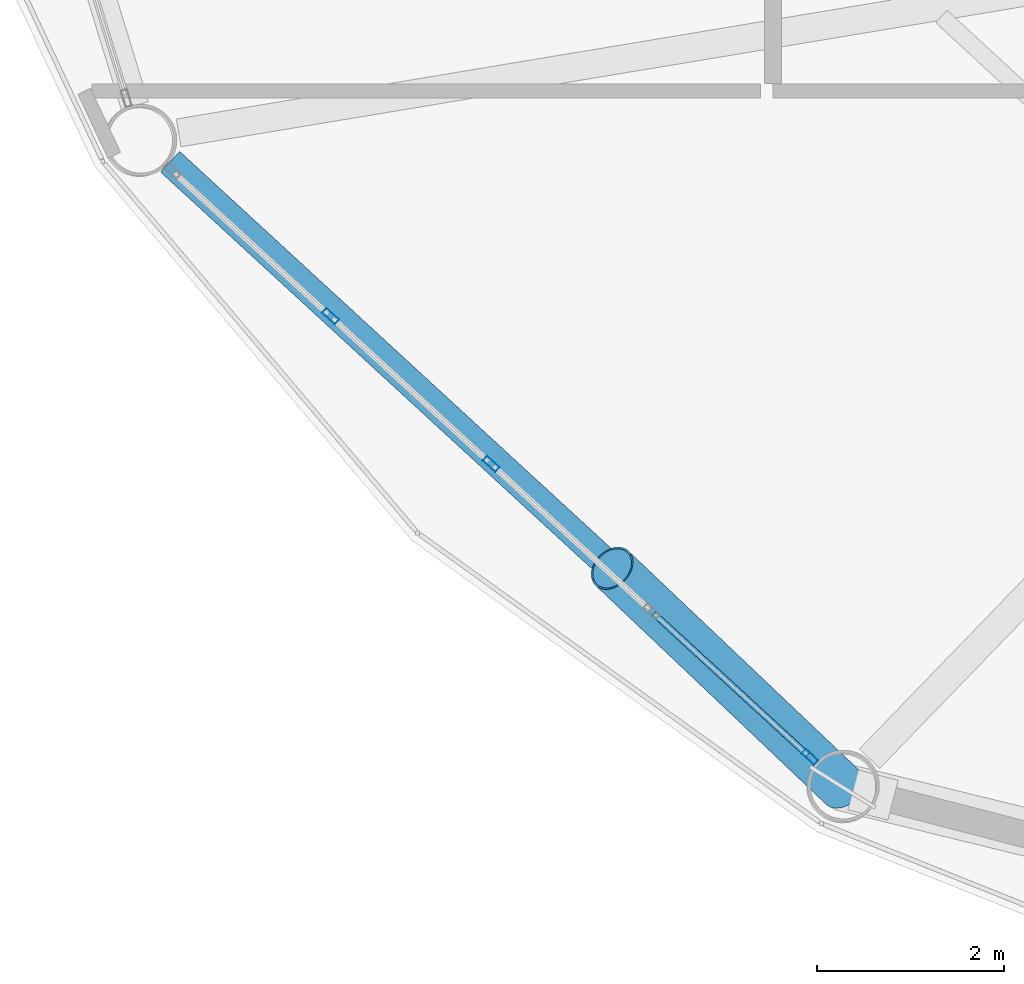
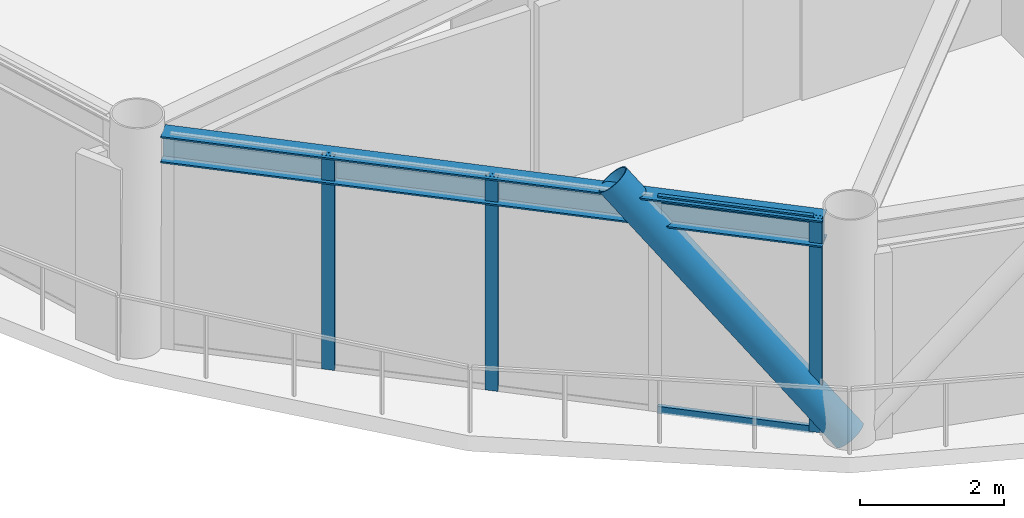
# One storey, part 2 of 25: 6 members, 1 beam, 1 element without a shape of its own.
"""IFC4 building model written with IfcOpenShell, lengths in metres."""

import ifcopenshell
import ifcopenshell.guid

model = None  # the IFC model being written
_history = None  # IfcOwnerHistory: only IFC2X3 demands one
_inside = {}  # id of a spatial element -> (the spatial element, [elements in it])
_under = {}  # id of a project, library or spatial element -> (it, [spatial elements below it])
_declared = {}  # id of a project -> (the project, [libraries it declares])
_typed = {}  # id of a type object -> (the type object, [elements of that type])
_made_of = {}  # id of a material, layer set ... -> (it, [elements and type objects made of it])


def new_model(schema):
    """Start an empty IFC model of exactly this schema.

    Asked for "IFC4X3", IfcOpenShell would pick the latest addendum, in which some entities
    have other attributes; the version numbers below select the first issue.
    IFC2X3 requires an IfcOwnerHistory on every rooted entity: one is made here for all.
    """
    global model, _history
    if schema == "IFC4X3":
        model = ifcopenshell.file(schema_version=(4, 3, 0, 0))
    else:
        model = ifcopenshell.file(schema=schema)
    _inside.clear()
    _under.clear()
    _declared.clear()
    _typed.clear()
    _made_of.clear()
    _history = None
    if model.schema == "IFC2X3":
        org = make("IfcOrganization", Name="unknown")
        user = make(
            "IfcPersonAndOrganization",
            ThePerson=make("IfcPerson", FamilyName="unknown"),
            TheOrganization=org,
        )
        app = make(
            "IfcApplication",
            ApplicationDeveloper=org,
            Version="unknown",
            ApplicationFullName="unknown",
            ApplicationIdentifier="unknown",
        )
        _history = make(
            "IfcOwnerHistory",
            OwningUser=user,
            OwningApplication=app,
            ChangeAction="ADDED",
            CreationDate=0,
        )
    return model


def make(cls, **values):
    """One entity of the class cls with the attributes given. An attribute that is None is left unset."""
    return model.create_entity(
        cls, **{name: value for name, value in values.items() if value is not None}
    )


def rooted(cls, **values):
    """An entity with a GlobalId (a new one), such as an element, a storey or a relation."""
    return make(cls, GlobalId=ifcopenshell.guid.new(), OwnerHistory=_history, **values)


def si_unit(unit_type, name, prefix=None):
    """IfcSIUnit, for example si_unit("LENGTHUNIT", "METRE", prefix="MILLI")."""
    return make("IfcSIUnit", UnitType=unit_type, Prefix=prefix, Name=name)


def assignment(units):
    """IfcUnitAssignment: the units of a project."""
    return None if units is None else make("IfcUnitAssignment", Units=units)


def point(xyz):
    """IfcCartesianPoint."""
    return None if xyz is None else make("IfcCartesianPoint", Coordinates=xyz)


def direction(xyz):
    """IfcDirection."""
    return None if xyz is None else make("IfcDirection", DirectionRatios=xyz)


def frame(location, z_axis=None, x_axis=None):
    """IfcAxis2Placement3D, a coordinate frame: its origin and axes. An axis left out is left unset."""
    return make(
        "IfcAxis2Placement3D",
        Location=point(location),
        Axis=direction(z_axis),
        RefDirection=direction(x_axis),
    )


def frame_2d(location, x_axis=None):
    """IfcAxis2Placement2D, a coordinate frame in the plane: its origin and x axis."""
    return make(
        "IfcAxis2Placement2D", Location=point(location), RefDirection=direction(x_axis)
    )


def origin():
    """The frame at (0, 0, 0) with its axes left unset."""
    return frame((0.0, 0.0, 0.0))


def origin_2d():
    """The frame at (0, 0) in the plane with its x axis left unset."""
    return frame_2d((0.0, 0.0))


def place(relative_to, where):
    """IfcLocalPlacement: puts the frame where relative to a parent placement (None: the world)."""
    return make(
        "IfcLocalPlacement", PlacementRelTo=relative_to, RelativePlacement=where
    )


def context(
    kind, dimensions, precision=None, world=None, true_north=None, identifier=None
):
    """IfcGeometricRepresentationContext, for example the 3D "Model" context."""
    return make(
        "IfcGeometricRepresentationContext",
        ContextIdentifier=identifier,
        ContextType=kind,
        CoordinateSpaceDimension=dimensions,
        Precision=precision,
        WorldCoordinateSystem=world,
        TrueNorth=true_north,
    )


def subcontext(parent, identifier, kind, view, scale=None):
    """IfcGeometricRepresentationSubContext, for example "Body" below "Model"."""
    return make(
        "IfcGeometricRepresentationSubContext",
        ContextIdentifier=identifier,
        ContextType=kind,
        ParentContext=parent,
        TargetScale=scale,
        TargetView=view,
    )


def project(units=None, contexts=None):
    """IfcProject with its units and contexts."""
    return rooted(
        "IfcProject",
        Name="project",
        RepresentationContexts=contexts,
        UnitsInContext=assignment(units),
    )


def spatial(cls, under=None, at=None, **own):
    """A site, building, storey or space (cls), placed at a placement, below another one or the project."""
    s = rooted(cls, ObjectPlacement=at, **own)
    if under is not None:
        _under.setdefault(under.id(), (under, []))[1].append(s)
    return s


def profile(cls, at=None, kind="AREA", **sizes):
    """A parametric profile (cls). Its sizes go by their IFC names, for example OverallWidth=200.0."""
    return make(cls, ProfileType=kind, Position=at, **sizes)


def hollow_rectangle(**sizes):
    """IfcRectangleHollowProfileDef."""
    return profile("IfcRectangleHollowProfileDef", **sizes)


def hollow_circle(**sizes):
    """IfcCircleHollowProfileDef."""
    return profile("IfcCircleHollowProfileDef", **sizes)


def i_section(**sizes):
    """IfcIShapeProfileDef."""
    return profile("IfcIShapeProfileDef", **sizes)


def extrude(swept, where, along, depth):
    """IfcExtrudedAreaSolid: the profile swept, set in the frame where, extruded along a direction by depth."""
    return make(
        "IfcExtrudedAreaSolid",
        SweptArea=swept,
        Position=where,
        ExtrudedDirection=direction(along),
        Depth=depth,
    )


def shape(context_of_items, identifier, shape_type, items):
    """IfcShapeRepresentation: the items that make up one representation, for example the "Body"."""
    return make(
        "IfcShapeRepresentation",
        ContextOfItems=context_of_items,
        RepresentationIdentifier=identifier,
        RepresentationType=shape_type,
        Items=items,
    )


def material(Name=None, Category=None):
    """IfcMaterial."""
    return make("IfcMaterial", Name=Name, Category=Category)


def layer(
    of_material, thickness, ventilated=None, Name=None, Category=None, Priority=None
):
    """IfcMaterialLayer: one layer of a wall or slab, of a material (None: an air gap)."""
    return make(
        "IfcMaterialLayer",
        Material=of_material,
        LayerThickness=thickness,
        IsVentilated=ventilated,
        Name=Name,
        Category=Category,
        Priority=Priority,
    )


def layer_set(layers, Name=None):
    """IfcMaterialLayerSet."""
    return make("IfcMaterialLayerSet", MaterialLayers=layers, LayerSetName=Name)


def material_profile(
    of_material, cross_section, Name=None, Category=None, Priority=None
):
    """IfcMaterialProfile: a cross section and its material."""
    return make(
        "IfcMaterialProfile",
        Name=Name,
        Material=of_material,
        Profile=cross_section,
        Priority=Priority,
        Category=Category,
    )


def profile_set(profiles, Name=None, composite=None):
    """IfcMaterialProfileSet."""
    return make(
        "IfcMaterialProfileSet",
        Name=Name,
        MaterialProfiles=profiles,
        CompositeProfile=composite,
    )


def made_of(thing, what):
    """Note that an element or type object is made of a material, layer set ...; save() writes the relation."""
    if what is not None:
        _made_of.setdefault(what.id(), (what, []))[1].append(thing)
    return thing


def type_object(cls, material=None, **own):
    """A type object (cls), such as IfcWallType, which elements share."""
    return made_of(rooted(cls, **own), material)


def element(
    cls,
    number,
    at=None,
    inside=None,
    cuts=None,
    type_object=None,
    material=None,
    context=None,
    identifier="Body",
    shape_type=None,
    held_by="IfcProductDefinitionShape",
    body=None,
    shapes=None,
    **own,
):
    """One element of the class cls, such as IfcWall. Its Tag is "e" and its number.

    at: its placement. inside: the storey or other place that contains it. cuts: it is an
    opening in that element (IfcRelVoidsElement). A single representation is given by context,
    identifier, shape_type and body (its items); several are given by shapes. held_by: the class
    of the entity that holds the representations. save() writes the other relations.
    """
    e = rooted(cls, Tag="e%d" % number, ObjectPlacement=at, **own)
    if body is not None:
        shapes = [shape(context, identifier, shape_type, body)]
    if shapes is not None:
        e.Representation = make(held_by, Representations=shapes)
    if inside is not None:
        _inside.setdefault(inside.id(), (inside, []))[1].append(e)
    if cuts is not None:
        rooted(
            "IfcRelVoidsElement", RelatingBuildingElement=cuts, RelatedOpeningElement=e
        )
    if type_object is not None:
        _typed.setdefault(type_object.id(), (type_object, []))[1].append(e)
    return made_of(e, material)


def aggregate(whole, parts):
    """IfcRelAggregates: a whole, such as a stair, and the parts it consists of."""
    return rooted("IfcRelAggregates", RelatingObject=whole, RelatedObjects=parts)


def save(model, path):
    """Write the relations noted so far, then the file.

    IfcRelAggregates (storeys below a building ...), IfcRelContainedInSpatialStructure (elements
    in a storey), IfcRelDefinesByType, IfcRelAssociatesMaterial and IfcRelDeclares: one each for
    every whole, place, type object, material and project.
    """
    for whole, parts in _under.values():
        aggregate(whole, parts)
    for where, things in _inside.values():
        rooted(
            "IfcRelContainedInSpatialStructure",
            RelatedElements=things,
            RelatingStructure=where,
        )
    for kind, things in _typed.values():
        rooted("IfcRelDefinesByType", RelatedObjects=things, RelatingType=kind)
    for what, things in _made_of.values():
        rooted("IfcRelAssociatesMaterial", RelatedObjects=things, RelatingMaterial=what)
    for by, libraries in _declared.values():
        rooted("IfcRelDeclares", RelatingContext=by, RelatedDefinitions=libraries)
    model.write(path)


model = new_model("IFC4")

# Units and contexts
model_context = context("Model", 3, precision=1e-05, world=origin(), true_north=direction((0.0, 1.0)))
body_context = subcontext(model_context, "Body", "Model", "MODEL_VIEW")
ifc_project = project(units=[si_unit("LENGTHUNIT", "METRE"), si_unit("AREAUNIT", "SQUARE_METRE"), si_unit("VOLUMEUNIT", "CUBIC_METRE"), si_unit("PLANEANGLEUNIT", "RADIAN"), si_unit("MASSUNIT", "GRAM", prefix="KILO")], contexts=[model_context])

# Site, building, storey
site_placement = place(None, origin())
site = spatial("IfcSite", under=ifc_project, at=site_placement, CompositionType="ELEMENT")
building_placement = place(site_placement, origin())
building = spatial("IfcBuilding", under=site, at=building_placement, Name="Varnakorn Sky Granary", CompositionType="ELEMENT")
storey_placement = place(building_placement, frame((0.0, 0.0, 157.800048828125)))
storey = spatial("IfcBuildingStorey", under=building, at=storey_placement, Name="L39", CompositionType="ELEMENT", Elevation=157.800048828125)

# Beam
ifc_material_1 = material(Name="Steel S355JR", Category="steel")
ifc_material_profile_1 = material_profile(ifc_material_1, i_section(OverallWidth=0.300048828125, OverallDepth=0.449951171875, WebThickness=0.013916015625, FlangeThickness=0.02587890625, at=origin_2d()), Name="HE 450 B")
ifc_profile_set_1 = profile_set([ifc_material_profile_1], Name="Steel S355JR")
beam_type = type_object("IfcBeamType", Name="BM-SPD-Z3", PredefinedType="SPANDREL", material=ifc_profile_set_1)
beam_placement = place(storey_placement, frame((-18.939208984375, -9.65283203125, 3.4150390625), z_axis=(0.73598256896, -0.677000486105, 0.0), x_axis=(0.677000486105, 0.73598256896, 0.0)))
element("IfcBeam", 1, at=beam_placement, inside=storey, type_object=beam_type, Name="Perimeter Spandrel Ring Beam RB08 L39", PredefinedType="SPANDREL", context=body_context, shape_type="SweptSolid", body=[
    extrude(i_section(OverallWidth=0.300048828125, OverallDepth=0.449951171875, WebThickness=0.013916015625, FlangeThickness=0.02587890625, at=origin_2d()), origin(), (0.0, 0.0, 1.0), 9.4375),
])

# Curtain wall, members
ifc_material_2 = material(Name="Anodised Bronze Aluminium Alloy 6063-T6", Category="aluminium")
ifc_layer = layer(ifc_material_2, 0.179931640625, Name="Anodised Bronze Aluminium Alloy 6063-T6")
ifc_layer_set = layer_set([ifc_layer], Name="Anodised Bronze Aluminium Alloy 6063-T6")
curtain_wall_type = type_object("IfcCurtainWallType", Name="CW-FRM-2", PredefinedType="USERDEFINED", material=ifc_layer_set)
curtain_wall_placement = place(storey_placement, origin())
curtain_wall = element("IfcCurtainWall", 2, at=curtain_wall_placement, inside=storey, type_object=curtain_wall_type, Name="Unitised Curtain Wall CW4 CW-L39-B08", ObjectType="CURTAIN WALL", PredefinedType="USERDEFINED")
ifc_material_profile_2 = material_profile(ifc_material_2, hollow_rectangle(XDim=0.070068359375, YDim=0.18505859375, WallThickness=0.00390625, at=origin_2d()), Name="ALU MULL 70x185")
ifc_profile_set_2 = profile_set([ifc_material_profile_2], Name="Anodised Bronze Aluminium Alloy 6063-T6")
member_type_1 = type_object("IfcMemberType", Name="CW-FRM-2-MULL", PredefinedType="MULLION", material=ifc_profile_set_2)
member_1_placement = place(storey_placement, frame((-12.10791015625, -16.009521484375, 0.0), z_axis=(0.0, 0.0, 1.0), x_axis=(-0.676758169844, -0.73620539223, 0.0)))
member_1 = element("IfcMember", 3, at=member_1_placement, type_object=member_type_1, Name="CW4 mullion 1", PredefinedType="MULLION", context=body_context, shape_type="SweptSolid", body=[
    extrude(hollow_rectangle(XDim=0.070068359375, YDim=0.18505859375, WallThickness=0.00390625, at=origin_2d()), origin(), (0.0, 0.0, 1.0), 3.639892578125),
])
member_2_placement = place(storey_placement, frame((-15.511962890625, -12.88037109375, 0.0), z_axis=(0.0, 0.0, 1.0), x_axis=(-0.676758169844, -0.73620539223, 0.0)))
member_2 = element("IfcMember", 4, at=member_2_placement, type_object=member_type_1, Name="CW4 mullion 3", PredefinedType="MULLION", context=body_context, shape_type="SweptSolid", body=[
    extrude(hollow_rectangle(XDim=0.070068359375, YDim=0.18505859375, WallThickness=0.00390625, at=origin_2d()), origin(), (0.0, 0.0, 1.0), 3.639892578125),
])
member_3_placement = place(storey_placement, frame((-17.226806640625, -11.3037109375, 0.0), z_axis=(0.0, 0.0, 1.0), x_axis=(-0.676758169844, -0.73620539223, 0.0)))
member_3 = element("IfcMember", 5, at=member_3_placement, type_object=member_type_1, Name="CW4 mullion 4", PredefinedType="MULLION", context=body_context, shape_type="SweptSolid", body=[
    extrude(hollow_rectangle(XDim=0.070068359375, YDim=0.18505859375, WallThickness=0.00390625, at=origin_2d()), origin(), (0.0, 0.0, 1.0), 3.639892578125),
])
ifc_material_profile_3 = material_profile(ifc_material_2, hollow_rectangle(XDim=0.06494140625, YDim=0.1201171875, WallThickness=0.00341796875, at=origin_2d()), Name="ALU TRAN 65x120")
ifc_profile_set_3 = profile_set([ifc_material_profile_3], Name="Anodised Bronze Aluminium Alloy 6063-T6")
member_type_2 = type_object("IfcMemberType", Name="CW-FRM-2-TRAN", PredefinedType="USERDEFINED", material=ifc_profile_set_3)
member_4_placement = place(storey_placement, frame((-12.1337890625, -15.98583984375, 0.032470703125), z_axis=(-0.736173791473, 0.676792544838, 0.0), x_axis=(-0.676792544838, -0.736173791473, 0.0)))
member_4 = element("IfcMember", 6, at=member_4_placement, type_object=member_type_2, Name="CW4 transom 1.1", ObjectType="TRANSOM", PredefinedType="USERDEFINED", context=body_context, shape_type="SweptSolid", body=[
    extrude(hollow_rectangle(XDim=0.06494140625, YDim=0.1201171875, WallThickness=0.00341796875, at=origin_2d()), origin(), (0.0, 0.0, 1.0), 2.224365234375),
])
member_5_placement = place(storey_placement, frame((-12.1337890625, -15.98583984375, 3.607421875), z_axis=(-0.736173791473, 0.676792544838, 0.0), x_axis=(-0.676792544838, -0.736173791473, 0.0)))
member_5 = element("IfcMember", 7, at=member_5_placement, type_object=member_type_2, Name="CW4 transom 1.2", ObjectType="TRANSOM", PredefinedType="USERDEFINED", context=body_context, shape_type="SweptSolid", body=[
    extrude(hollow_rectangle(XDim=0.06494140625, YDim=0.1201171875, WallThickness=0.00341796875, at=origin_2d()), origin(), (0.0, 0.0, 1.0), 2.224365234375),
])
aggregate(curtain_wall, [member_1, member_2, member_3, member_4, member_5])

# Member
ifc_material_3 = material(Name="Steel S460M", Category="steel")
ifc_material_profile_4 = material_profile(ifc_material_3, hollow_circle(Radius=0.25390625, WallThickness=0.01806640625, at=origin_2d()), Name="CHS 508x18")
ifc_profile_set_4 = profile_set([ifc_material_profile_4], Name="Steel S460M")
member_type_3 = type_object("IfcMemberType", Name="MB-DIAG-T2", PredefinedType="BRACE", material=ifc_profile_set_4)
member_6_placement = place(storey_placement, frame((-11.757568359375, -16.33154296875, 0.0), z_axis=(-0.483777998943, 0.459303563921, 0.744982606447), x_axis=(-0.688524443345, -0.72521313482, 0.0)))
element("IfcMember", 8, at=member_6_placement, inside=storey, type_object=member_type_3, Name="Perimeter CHS Diagrid Brace DG08 L39", PredefinedType="BRACE", context=body_context, shape_type="SweptSolid", body=[
    extrude(hollow_circle(Radius=0.25390625, WallThickness=0.01806640625, at=origin_2d()), origin(), (0.0, 0.0, 1.0), 5.08740234375),
])

save(model, "model.ifc")
